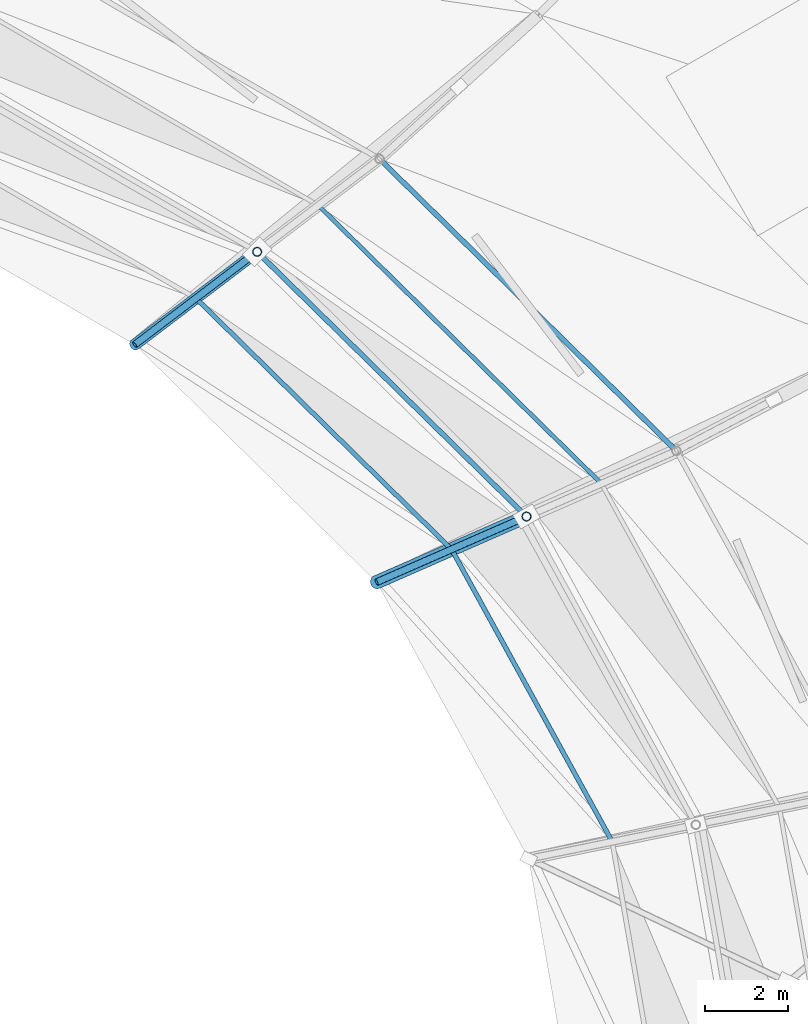
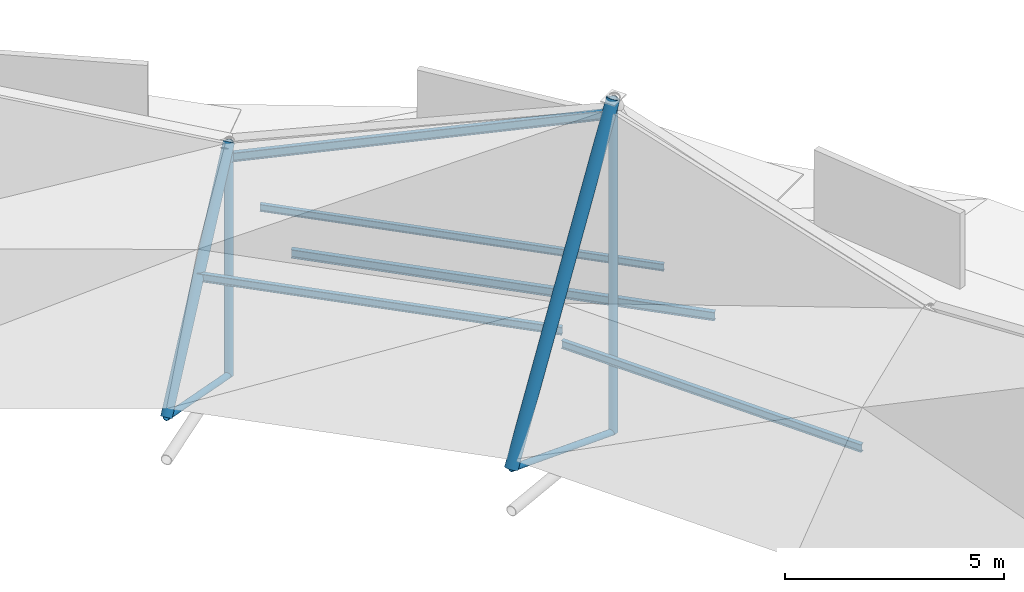
# One storey, part 14 of 36: 11 members.
"""IFC4 building model written with IfcOpenShell, lengths in metres."""

import ifcopenshell
import ifcopenshell.guid

model = None  # the IFC model being written
_history = None  # IfcOwnerHistory: only IFC2X3 demands one
_inside = {}  # id of a spatial element -> (the spatial element, [elements in it])
_under = {}  # id of a project, library or spatial element -> (it, [spatial elements below it])
_declared = {}  # id of a project -> (the project, [libraries it declares])
_typed = {}  # id of a type object -> (the type object, [elements of that type])
_made_of = {}  # id of a material, layer set ... -> (it, [elements and type objects made of it])


def new_model(schema):
    """Start an empty IFC model of exactly this schema.

    Asked for "IFC4X3", IfcOpenShell would pick the latest addendum, in which some entities
    have other attributes; the version numbers below select the first issue.
    IFC2X3 requires an IfcOwnerHistory on every rooted entity: one is made here for all.
    """
    global model, _history
    if schema == "IFC4X3":
        model = ifcopenshell.file(schema_version=(4, 3, 0, 0))
    else:
        model = ifcopenshell.file(schema=schema)
    _inside.clear()
    _under.clear()
    _declared.clear()
    _typed.clear()
    _made_of.clear()
    _history = None
    if model.schema == "IFC2X3":
        org = make("IfcOrganization", Name="unknown")
        user = make(
            "IfcPersonAndOrganization",
            ThePerson=make("IfcPerson", FamilyName="unknown"),
            TheOrganization=org,
        )
        app = make(
            "IfcApplication",
            ApplicationDeveloper=org,
            Version="unknown",
            ApplicationFullName="unknown",
            ApplicationIdentifier="unknown",
        )
        _history = make(
            "IfcOwnerHistory",
            OwningUser=user,
            OwningApplication=app,
            ChangeAction="ADDED",
            CreationDate=0,
        )
    return model


def make(cls, **values):
    """One entity of the class cls with the attributes given. An attribute that is None is left unset."""
    return model.create_entity(
        cls, **{name: value for name, value in values.items() if value is not None}
    )


def rooted(cls, **values):
    """An entity with a GlobalId (a new one), such as an element, a storey or a relation."""
    return make(cls, GlobalId=ifcopenshell.guid.new(), OwnerHistory=_history, **values)


def si_unit(unit_type, name, prefix=None):
    """IfcSIUnit, for example si_unit("LENGTHUNIT", "METRE", prefix="MILLI")."""
    return make("IfcSIUnit", UnitType=unit_type, Prefix=prefix, Name=name)


def assignment(units):
    """IfcUnitAssignment: the units of a project."""
    return None if units is None else make("IfcUnitAssignment", Units=units)


def point(xyz):
    """IfcCartesianPoint."""
    return None if xyz is None else make("IfcCartesianPoint", Coordinates=xyz)


def direction(xyz):
    """IfcDirection."""
    return None if xyz is None else make("IfcDirection", DirectionRatios=xyz)


def frame(location, z_axis=None, x_axis=None):
    """IfcAxis2Placement3D, a coordinate frame: its origin and axes. An axis left out is left unset."""
    return make(
        "IfcAxis2Placement3D",
        Location=point(location),
        Axis=direction(z_axis),
        RefDirection=direction(x_axis),
    )


def frame_2d(location, x_axis=None):
    """IfcAxis2Placement2D, a coordinate frame in the plane: its origin and x axis."""
    return make(
        "IfcAxis2Placement2D", Location=point(location), RefDirection=direction(x_axis)
    )


def origin():
    """The frame at (0, 0, 0) with its axes left unset."""
    return frame((0.0, 0.0, 0.0))


def origin_2d():
    """The frame at (0, 0) in the plane with its x axis left unset."""
    return frame_2d((0.0, 0.0))


def place(relative_to, where):
    """IfcLocalPlacement: puts the frame where relative to a parent placement (None: the world)."""
    return make(
        "IfcLocalPlacement", PlacementRelTo=relative_to, RelativePlacement=where
    )


def context(
    kind, dimensions, precision=None, world=None, true_north=None, identifier=None
):
    """IfcGeometricRepresentationContext, for example the 3D "Model" context."""
    return make(
        "IfcGeometricRepresentationContext",
        ContextIdentifier=identifier,
        ContextType=kind,
        CoordinateSpaceDimension=dimensions,
        Precision=precision,
        WorldCoordinateSystem=world,
        TrueNorth=true_north,
    )


def subcontext(parent, identifier, kind, view, scale=None):
    """IfcGeometricRepresentationSubContext, for example "Body" below "Model"."""
    return make(
        "IfcGeometricRepresentationSubContext",
        ContextIdentifier=identifier,
        ContextType=kind,
        ParentContext=parent,
        TargetScale=scale,
        TargetView=view,
    )


def project(units=None, contexts=None):
    """IfcProject with its units and contexts."""
    return rooted(
        "IfcProject",
        Name="project",
        RepresentationContexts=contexts,
        UnitsInContext=assignment(units),
    )


def spatial(cls, under=None, at=None, **own):
    """A site, building, storey or space (cls), placed at a placement, below another one or the project."""
    s = rooted(cls, ObjectPlacement=at, **own)
    if under is not None:
        _under.setdefault(under.id(), (under, []))[1].append(s)
    return s


def profile(cls, at=None, kind="AREA", **sizes):
    """A parametric profile (cls). Its sizes go by their IFC names, for example OverallWidth=200.0."""
    return make(cls, ProfileType=kind, Position=at, **sizes)


def hollow_circle(**sizes):
    """IfcCircleHollowProfileDef."""
    return profile("IfcCircleHollowProfileDef", **sizes)


def i_section(**sizes):
    """IfcIShapeProfileDef."""
    return profile("IfcIShapeProfileDef", **sizes)


def extrude(swept, where, along, depth):
    """IfcExtrudedAreaSolid: the profile swept, set in the frame where, extruded along a direction by depth."""
    return make(
        "IfcExtrudedAreaSolid",
        SweptArea=swept,
        Position=where,
        ExtrudedDirection=direction(along),
        Depth=depth,
    )


def shape(context_of_items, identifier, shape_type, items):
    """IfcShapeRepresentation: the items that make up one representation, for example the "Body"."""
    return make(
        "IfcShapeRepresentation",
        ContextOfItems=context_of_items,
        RepresentationIdentifier=identifier,
        RepresentationType=shape_type,
        Items=items,
    )


def material(Name=None, Category=None):
    """IfcMaterial."""
    return make("IfcMaterial", Name=Name, Category=Category)


def material_profile(
    of_material, cross_section, Name=None, Category=None, Priority=None
):
    """IfcMaterialProfile: a cross section and its material."""
    return make(
        "IfcMaterialProfile",
        Name=Name,
        Material=of_material,
        Profile=cross_section,
        Priority=Priority,
        Category=Category,
    )


def profile_set(profiles, Name=None, composite=None):
    """IfcMaterialProfileSet."""
    return make(
        "IfcMaterialProfileSet",
        Name=Name,
        MaterialProfiles=profiles,
        CompositeProfile=composite,
    )


def made_of(thing, what):
    """Note that an element or type object is made of a material, layer set ...; save() writes the relation."""
    if what is not None:
        _made_of.setdefault(what.id(), (what, []))[1].append(thing)
    return thing


def type_object(cls, material=None, **own):
    """A type object (cls), such as IfcWallType, which elements share."""
    return made_of(rooted(cls, **own), material)


def element(
    cls,
    number,
    at=None,
    inside=None,
    cuts=None,
    type_object=None,
    material=None,
    context=None,
    identifier="Body",
    shape_type=None,
    held_by="IfcProductDefinitionShape",
    body=None,
    shapes=None,
    **own,
):
    """One element of the class cls, such as IfcWall. Its Tag is "e" and its number.

    at: its placement. inside: the storey or other place that contains it. cuts: it is an
    opening in that element (IfcRelVoidsElement). A single representation is given by context,
    identifier, shape_type and body (its items); several are given by shapes. held_by: the class
    of the entity that holds the representations. save() writes the other relations.
    """
    e = rooted(cls, Tag="e%d" % number, ObjectPlacement=at, **own)
    if body is not None:
        shapes = [shape(context, identifier, shape_type, body)]
    if shapes is not None:
        e.Representation = make(held_by, Representations=shapes)
    if inside is not None:
        _inside.setdefault(inside.id(), (inside, []))[1].append(e)
    if cuts is not None:
        rooted(
            "IfcRelVoidsElement", RelatingBuildingElement=cuts, RelatedOpeningElement=e
        )
    if type_object is not None:
        _typed.setdefault(type_object.id(), (type_object, []))[1].append(e)
    return made_of(e, material)


def aggregate(whole, parts):
    """IfcRelAggregates: a whole, such as a stair, and the parts it consists of."""
    return rooted("IfcRelAggregates", RelatingObject=whole, RelatedObjects=parts)


def save(model, path):
    """Write the relations noted so far, then the file.

    IfcRelAggregates (storeys below a building ...), IfcRelContainedInSpatialStructure (elements
    in a storey), IfcRelDefinesByType, IfcRelAssociatesMaterial and IfcRelDeclares: one each for
    every whole, place, type object, material and project.
    """
    for whole, parts in _under.values():
        aggregate(whole, parts)
    for where, things in _inside.values():
        rooted(
            "IfcRelContainedInSpatialStructure",
            RelatedElements=things,
            RelatingStructure=where,
        )
    for kind, things in _typed.values():
        rooted("IfcRelDefinesByType", RelatedObjects=things, RelatingType=kind)
    for what, things in _made_of.values():
        rooted("IfcRelAssociatesMaterial", RelatedObjects=things, RelatingMaterial=what)
    for by, libraries in _declared.values():
        rooted("IfcRelDeclares", RelatingContext=by, RelatedDefinitions=libraries)
    model.write(path)


model = new_model("IFC4")

# Units and contexts
model_context = context("Model", 3, precision=1e-05, world=origin(), true_north=direction((0.0, 1.0)))
body_context = subcontext(model_context, "Body", "Model", "MODEL_VIEW")
ifc_project = project(units=[si_unit("LENGTHUNIT", "METRE"), si_unit("AREAUNIT", "SQUARE_METRE"), si_unit("VOLUMEUNIT", "CUBIC_METRE"), si_unit("PLANEANGLEUNIT", "RADIAN"), si_unit("MASSUNIT", "GRAM", prefix="KILO")], contexts=[model_context])

# Site, building, storey
site_placement = place(None, origin())
site = spatial("IfcSite", under=ifc_project, at=site_placement, CompositionType="ELEMENT")
building_placement = place(site_placement, origin())
building = spatial("IfcBuilding", under=site, at=building_placement, Name="Kildeholm Park Wholesale Market", CompositionType="ELEMENT")
storey_placement = place(building_placement, frame((0.0, 0.0, 17.39990234375)))
storey = spatial("IfcBuildingStorey", under=building, at=storey_placement, Name="Roof", CompositionType="ELEMENT", Elevation=17.39990234375)

# Members
ifc_material = material(Name="Steel S355", Category="steel")
ifc_material_profile_1 = material_profile(ifc_material, i_section(OverallWidth=0.10009765625, OverallDepth=0.199951171875, WebThickness=0.005615234375, FlangeThickness=0.008544921875, FilletRadius=0.011962890625, at=origin_2d()), Name="IPE 200")
ifc_profile_set_1 = profile_set([ifc_material_profile_1], Name="Steel S355")
member_type_1 = type_object("IfcMemberType", Name="Member PR-01 IPE 200", PredefinedType="PURLIN", material=ifc_profile_set_1)
member_1_placement = place(storey_placement, frame((136.0009765625, 105.612548828125, -1.144775390625), z_axis=(-0.713234317827, 0.70092567928, 0.0), x_axis=(-0.70092567928, -0.713234317827, 0.0)))
element("IfcMember", 1, at=member_1_placement, inside=storey, type_object=member_type_1, Name="Member PR-V1-MDO-02 MEM-0038", PredefinedType="PURLIN", context=body_context, shape_type="SweptSolid", body=[
    extrude(i_section(OverallWidth=0.10009765625, OverallDepth=0.199951171875, WebThickness=0.005615234375, FlangeThickness=0.008544921875, FilletRadius=0.011962890625, at=origin_2d()), origin(), (0.0, 0.0, 1.0), 9.520751953125),
])
ifc_material_profile_2 = material_profile(ifc_material, i_section(OverallWidth=0.1201171875, OverallDepth=0.239990234375, WebThickness=0.006103515625, FlangeThickness=0.009765625, FilletRadius=0.014892578125, at=origin_2d()), Name="IPE 240")
ifc_profile_set_2 = profile_set([ifc_material_profile_2], Name="Steel S355")
member_type_2 = type_object("IfcMemberType", Name="Member PR-02 IPE 240", PredefinedType="PURLIN", material=ifc_profile_set_2)
member_2_placement = place(storey_placement, frame((137.798095703125, 106.39990234375, -3.60888671875), z_axis=(-0.713096204455, 0.701066190307, 0.0), x_axis=(-0.701066190307, -0.713096204455, 0.0)))
element("IfcMember", 2, at=member_2_placement, inside=storey, type_object=member_type_2, Name="Member PR-V1-STP2-02 MEM-0036", PredefinedType="PURLIN", context=body_context, shape_type="SweptSolid", body=[
    extrude(i_section(OverallWidth=0.1201171875, OverallDepth=0.239990234375, WebThickness=0.006103515625, FlangeThickness=0.009765625, FilletRadius=0.014892578125, at=origin_2d()), origin(), (0.0, 0.0, 1.0), 9.98486328125),
])
member_3_placement = place(storey_placement, frame((134.2041015625, 104.824951171875, 4.237060546875), z_axis=(-0.681546796867, 0.669520257886, -0.295358405942), x_axis=(-0.700784698556, -0.713372838191, 0.0)))
element("IfcMember", 3, at=member_3_placement, inside=storey, type_object=member_type_2, Name="Member PR-V1-CRWN-02 MEM-0037", PredefinedType="PURLIN", context=body_context, shape_type="SweptSolid", body=[
    extrude(i_section(OverallWidth=0.1201171875, OverallDepth=0.239990234375, WebThickness=0.006103515625, FlangeThickness=0.009765625, FilletRadius=0.014892578125, at=origin_2d()), origin(), (0.0, 0.0, 1.0), 9.480224609375),
])
ifc_material_profile_3 = material_profile(ifc_material, i_section(OverallWidth=0.110107421875, OverallDepth=0.219970703125, WebThickness=0.005859375, FlangeThickness=0.00927734375, FilletRadius=0.011962890625, at=origin_2d()), Name="IPE 220")
ifc_profile_set_3 = profile_set([ifc_material_profile_3], Name="Steel S355")
member_type_3 = type_object("IfcMemberType", Name="Member PR-03 IPE 220", PredefinedType="PURLIN", material=ifc_profile_set_3)
member_4_placement = place(storey_placement, frame((136.260009765625, 97.025390625, -1.0673828125), z_axis=(-0.481564964074, 0.876410397803, 0.0), x_axis=(-0.876410397803, -0.481564964074, 0.0)))
element("IfcMember", 4, at=member_4_placement, inside=storey, type_object=member_type_3, Name="Member PR-V1-MDI-01 MEM-0027", PredefinedType="PURLIN", context=body_context, shape_type="SweptSolid", body=[
    extrude(i_section(OverallWidth=0.110107421875, OverallDepth=0.219970703125, WebThickness=0.005859375, FlangeThickness=0.00927734375, FilletRadius=0.011962890625, at=origin_2d()), origin(), (0.0, 0.0, 1.0), 8.0009765625),
])
member_5_placement = place(storey_placement, frame((132.406982421875, 104.03759765625, -0.69970703125), z_axis=(-0.713484428473, 0.700671085693, 0.0), x_axis=(-0.700671085693, -0.713484428473, 0.0)))
element("IfcMember", 5, at=member_5_placement, inside=storey, type_object=member_type_3, Name="Member PR-V1-MDI-02 MEM-0039", PredefinedType="PURLIN", context=body_context, shape_type="SweptSolid", body=[
    extrude(i_section(OverallWidth=0.110107421875, OverallDepth=0.219970703125, WebThickness=0.005859375, FlangeThickness=0.00927734375, FilletRadius=0.011962890625, at=origin_2d()), origin(), (0.0, 0.0, 1.0), 8.59326171875),
])
ifc_material_profile_4 = material_profile(ifc_material, hollow_circle(Radius=0.084228515625, WallThickness=0.010009765625, at=origin_2d()), Name="CHS 168.3x10")
ifc_profile_set_4 = profile_set([ifc_material_profile_4], Name="Steel S355")
member_type_4 = type_object("IfcMemberType", Name="Member TB-01 CHS 168.3x10", PredefinedType="BRACE", material=ifc_profile_set_4)
member_6_placement = place(storey_placement, frame((134.2041015625, 104.824951171875, -4.6298828125), z_axis=(-0.87649984614, -0.384097582192, 0.290201769587), x_axis=(0.401370362449, -0.915915843376, 0.0)))
element("IfcMember", 6, at=member_6_placement, inside=storey, type_object=member_type_4, Name="Member TR-V1-02-WB3 MEM-0035", PredefinedType="BRACE", context=body_context, shape_type="SweptSolid", body=[
    extrude(hollow_circle(Radius=0.084228515625, WallThickness=0.010009765625, at=origin_2d()), origin(), (0.0, 0.0, 1.0), 4.100341796875),
])
member_7_placement = place(storey_placement, frame((127.742919921875, 111.172119140625, -4.6298828125), z_axis=(-0.757940261159, -0.575345848572, 0.30741456544), x_axis=(0.604624369273, -0.796510748252, 0.0)))
element("IfcMember", 7, at=member_7_placement, inside=storey, type_object=member_type_4, Name="Member TR-V1-03-WB3 MEM-0047", PredefinedType="BRACE", context=body_context, shape_type="SweptSolid", body=[
    extrude(hollow_circle(Radius=0.084228515625, WallThickness=0.010009765625, at=origin_2d()), origin(), (0.0, 0.0, 1.0), 3.870849609375),
])
ifc_material_profile_5 = material_profile(ifc_material, hollow_circle(Radius=0.109619140625, WallThickness=0.012451171875, at=origin_2d()), Name="CHS 219.1x12.5")
ifc_profile_set_5 = profile_set([ifc_material_profile_5], Name="Steel S355")
member_type_5 = type_object("IfcMemberType", Name="Member TB-02 CHS 219.1x12.5", PredefinedType="BRACE", material=ifc_profile_set_5)
member_8_placement = place(storey_placement, frame((134.2041015625, 104.824951171875, -4.6298828125), z_axis=(0.0, 0.0, 1.0), x_axis=(1.0, 0.0, 0.0)))
element("IfcMember", 8, at=member_8_placement, inside=storey, type_object=member_type_5, Name="Member TR-V1-02-VT2 MEM-0032", PredefinedType="BRACE", context=body_context, shape_type="SweptSolid", body=[
    extrude(hollow_circle(Radius=0.109619140625, WallThickness=0.012451171875, at=origin_2d()), origin(), (0.0, 0.0, 1.0), 9.2900390625),
])
member_9_placement = place(storey_placement, frame((127.742919921875, 111.172119140625, -4.6298828125), z_axis=(0.0, 0.0, 1.0), x_axis=(1.0, 0.0, 0.0)))
element("IfcMember", 9, at=member_9_placement, inside=storey, type_object=member_type_5, Name="Member TR-V1-03-VT2 MEM-0044", PredefinedType="BRACE", context=body_context, shape_type="SweptSolid", body=[
    extrude(hollow_circle(Radius=0.109619140625, WallThickness=0.012451171875, at=origin_2d()), origin(), (0.0, 0.0, 1.0), 6.489990234375),
])
ifc_material_profile_6 = material_profile(ifc_material, hollow_circle(Radius=0.161865234375, WallThickness=0.01611328125, at=origin_2d()), Name="CHS 323.9x16")
ifc_profile_set_6 = profile_set([ifc_material_profile_6], Name="Steel S355")
member_type_6 = type_object("IfcMemberType", Name="Member TC-01 CHS 323.9x16", PredefinedType="CHORD", material=ifc_profile_set_6)
member_10_placement = place(storey_placement, frame((134.2041015625, 104.824951171875, 4.66015625), z_axis=(-0.399310875787, -0.174985018661, -0.899961703476), x_axis=(0.401370362449, -0.915915843376, 0.0)))
element("IfcMember", 10, at=member_10_placement, inside=storey, type_object=member_type_6, Name="Member TR-V1-02-TC3 MEM-0030", PredefinedType="CHORD", context=body_context, shape_type="SweptSolid", body=[
    extrude(hollow_circle(Radius=0.161865234375, WallThickness=0.01611328125, at=origin_2d()), origin(), (0.0, 0.0, 1.0), 9.00048828125),
])
ifc_material_profile_7 = material_profile(ifc_material, hollow_circle(Radius=0.136474609375, WallThickness=0.01611328125, at=origin_2d()), Name="CHS 273x16")
ifc_profile_set_7 = profile_set([ifc_material_profile_7], Name="Steel S355")
member_type_7 = type_object("IfcMemberType", Name="Member TC-02 CHS 273x16", PredefinedType="CHORD", material=ifc_profile_set_7)
member_11_placement = place(storey_placement, frame((127.742919921875, 111.172119140625, 1.860107421875), z_axis=(-0.454557247199, -0.345050445948, -0.821168617746), x_axis=(0.604624369273, -0.796510748252, 0.0)))
element("IfcMember", 11, at=member_11_placement, inside=storey, type_object=member_type_7, Name="Member TR-V1-03-TC3 MEM-0042", PredefinedType="CHORD", context=body_context, shape_type="SweptSolid", body=[
    extrude(hollow_circle(Radius=0.136474609375, WallThickness=0.01611328125, at=origin_2d()), origin(), (0.0, 0.0, 1.0), 6.454345703125),
])

save(model, "model.ifc")
